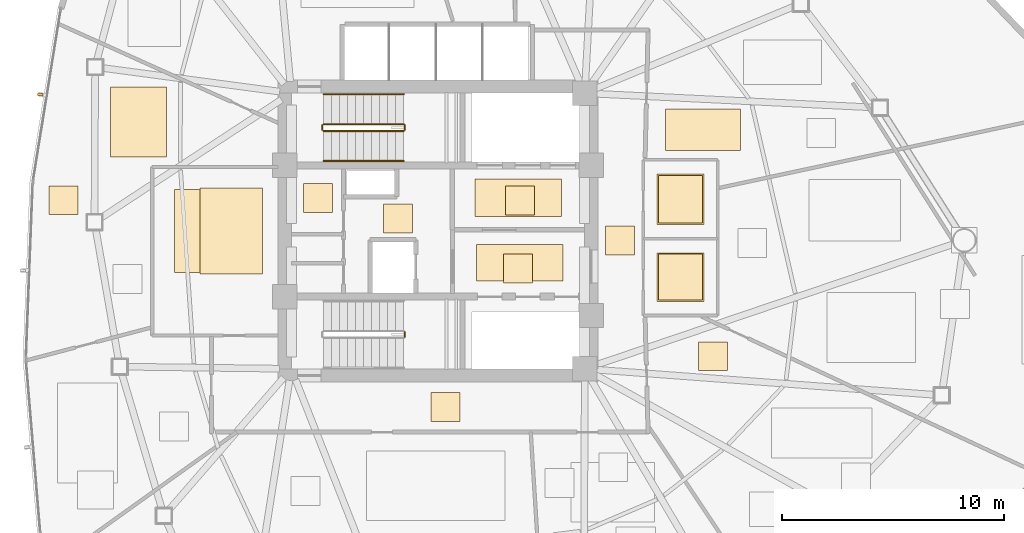
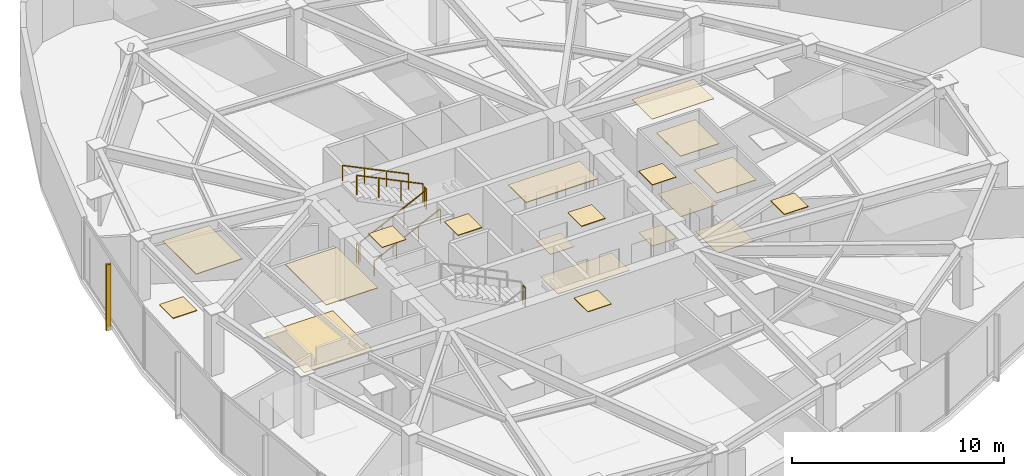
# One storey, part 15 of 17: 19 coverings, 7 railings, 1 shading device.
"""IFC4 building model written with IfcOpenShell, lengths in metres."""

from ifc_helpers import new_model, si_unit, direction, frame, origin, origin_2d, place, context, subcontext, project, spatial, polyline, rectangle, outline, extrude, source, transform, mapped, material, layer, layer_set, type_object, type_shapes, element, save


model = new_model("IFC4")

# Units and contexts
model_context = context("Model", 3, precision=1e-05, world=origin(), true_north=direction((0.0, 1.0)))
body_context = subcontext(model_context, "Body", "Model", "MODEL_VIEW")
ifc_project = project(units=[si_unit("LENGTHUNIT", "METRE"), si_unit("AREAUNIT", "SQUARE_METRE"), si_unit("VOLUMEUNIT", "CUBIC_METRE"), si_unit("PLANEANGLEUNIT", "RADIAN"), si_unit("MASSUNIT", "GRAM", prefix="KILO")], contexts=[model_context])

# Site, building, storey
site_placement = place(None, origin())
site = spatial("IfcSite", under=ifc_project, at=site_placement, CompositionType="ELEMENT")
building_placement = place(site_placement, origin())
building = spatial("IfcBuilding", under=site, at=building_placement, Name="Tavelor Broadcast Tower", CompositionType="ELEMENT")
storey_placement = place(building_placement, frame((0.0, 0.0, 134.85009765625)))
storey = spatial("IfcBuildingStorey", under=building, at=storey_placement, Name="L31", CompositionType="ELEMENT", Elevation=134.85009765625)

# Coverings
ifc_material_1 = material(Name="Copper-Bronze Anodized Aluminium", Category="aluminium")
ifc_layer_1 = layer(ifc_material_1, 0.044921875)
ifc_layer_set_1 = layer_set([ifc_layer_1], Name="Copper-Bronze Anodized Aluminium")
covering_type_1 = type_object("IfcCoveringType", Name="Anodised Bronze Linear Slatted Concourse Ceiling 45 mm", PredefinedType="CEILING", material=ifc_layer_set_1)
covering_1_placement = place(storey_placement, frame((0.0, 0.0, 3.5048828125)))
element("IfcCovering", 1, at=covering_1_placement, inside=storey, type_object=covering_type_1, Name="L31 Suspended Acoustic Ceiling 1236", PredefinedType="CEILING", context=body_context, shape_type="SweptSolid", body=[
    extrude(outline(polyline([(51.659912109375, 45.654296875), (55.55712890625, 45.654296875), (55.55712890625, 47.331787109375), (51.659912109375, 47.331787109375), (51.659912109375, 45.654296875)])), origin(), (0.0, 0.0, 1.0), 0.044921875),
])
covering_2_placement = place(storey_placement, frame((0.0, 0.0, 3.5048828125)))
element("IfcCovering", 2, at=covering_2_placement, inside=storey, type_object=covering_type_1, Name="L31 Suspended Acoustic Ceiling 1237", PredefinedType="CEILING", context=body_context, shape_type="SweptSolid", body=[
    extrude(outline(polyline([(52.95361328125, 42.656982421875), (54.25341796875, 42.656982421875), (54.25341796875, 43.95703125), (52.95361328125, 43.95703125), (52.95361328125, 42.656982421875)])), origin(), (0.0, 0.0, 1.0), 0.044921875),
])
covering_3_placement = place(storey_placement, frame((0.0, 0.0, 3.5048828125)))
element("IfcCovering", 3, at=covering_3_placement, inside=storey, type_object=covering_type_1, Name="L31 Suspended Acoustic Ceiling 1238", PredefinedType="CEILING", context=body_context, shape_type="SweptSolid", body=[
    extrude(outline(polyline([(47.544921875, 44.919921875), (48.844970703125, 44.919921875), (48.844970703125, 46.219970703125), (47.544921875, 46.219970703125), (47.544921875, 44.919921875)])), origin(), (0.0, 0.0, 1.0), 0.044921875),
])

# Railings
ifc_material_2 = material(Name="Steel S355", Category="steel")
railing_type_1 = type_object("IfcRailingType", Name="Continuous Brushed Stainless Handrail 900 mm", PredefinedType="HANDRAIL", material=ifc_material_2)
railing_1_placement = place(storey_placement, frame((44.85009765625, 48.14990234375, 0.1748046875)))
element("IfcRailing", 4, at=railing_1_placement, inside=storey, type_object=railing_type_1, Name="L31 ST1 stair handrail 1", PredefinedType="HANDRAIL", context=body_context, shape_type="SweptSolid", body=[
    extrude(rectangle(XDim=0.048095703125, YDim=0.048095703125, at=origin_2d()), frame((0.0, 0.0, 0.8759765625), z_axis=(0.899360859046, 0.0, 0.437207096483), x_axis=(0.0, 1.0, 0.0)), (0.0, 0.0, 1.0), 4.002685546875),
    extrude(rectangle(XDim=0.0419921875, YDim=0.0419921875, at=origin_2d()), origin(), (0.0, 0.0, 1.0), 0.851806640625),
    extrude(rectangle(XDim=0.0419921875, YDim=0.0419921875, at=origin_2d()), frame((1.199951171875, 0.0, 0.583251953125)), (0.0, 0.0, 1.0), 0.851806640625),
    extrude(rectangle(XDim=0.0419921875, YDim=0.0419921875, at=origin_2d()), frame((2.39990234375, 0.0, 1.166748046875)), (0.0, 0.0, 1.0), 0.851806640625),
    extrude(rectangle(XDim=0.0419921875, YDim=0.0419921875, at=origin_2d()), frame((3.599853515625, 0.0, 1.75)), (0.0, 0.0, 1.0), 0.851806640625),
])
railing_2_placement = place(storey_placement, frame((48.449951171875, 51.14990234375, 2.099853515625)))
element("IfcRailing", 5, at=railing_2_placement, inside=storey, type_object=railing_type_1, Name="L31 ST1 stair handrail 2", PredefinedType="HANDRAIL", context=body_context, shape_type="SweptSolid", body=[
    extrude(rectangle(XDim=0.048095703125, YDim=0.048095703125, at=origin_2d()), frame((0.0, 0.0, 0.8759765625), z_axis=(-0.899360859046, 0.0, 0.437207096483), x_axis=(0.0, -1.0, 0.0)), (0.0, 0.0, 1.0), 4.002685546875),
    extrude(rectangle(XDim=0.0419921875, YDim=0.0419921875, at=origin_2d()), origin(), (0.0, 0.0, 1.0), 0.851806640625),
    extrude(rectangle(XDim=0.0419921875, YDim=0.0419921875, at=origin_2d()), frame((-1.199951171875, 0.0, 0.583251953125)), (0.0, 0.0, 1.0), 0.851806640625),
    extrude(rectangle(XDim=0.0419921875, YDim=0.0419921875, at=origin_2d()), frame((-2.39990234375, 0.0, 1.166748046875)), (0.0, 0.0, 1.0), 0.851806640625),
    extrude(rectangle(XDim=0.0419921875, YDim=0.0419921875, at=origin_2d()), frame((-3.599853515625, 0.0, 1.75)), (0.0, 0.0, 1.0), 0.851806640625),
])

# Coverings
ifc_material_3 = material(Name="Architectural Anodized Aluminium", Category="aluminium")
ifc_layer_2 = layer(ifc_material_3, 0.034912109375)
ifc_layer_set_2 = layer_set([ifc_layer_2], Name="Architectural Anodized Aluminium")
covering_type_2 = type_object("IfcCoveringType", Name="Demountable Metal Tile Corridor Ceiling 35 mm", PredefinedType="CEILING", material=ifc_layer_set_2)
covering_4_placement = place(storey_placement, frame((0.0, 0.0, 3.514892578125)))
element("IfcCovering", 6, at=covering_4_placement, inside=storey, type_object=covering_type_2, Name="L31 Suspended Acoustic Ceiling 1240", PredefinedType="CEILING", context=body_context, shape_type="SweptSolid", body=[
    extrude(outline(polyline([(57.5400390625, 43.925048828125), (58.840087890625, 43.925048828125), (58.840087890625, 45.22509765625), (57.5400390625, 45.22509765625), (57.5400390625, 43.925048828125)])), origin(), (0.0, 0.0, 1.0), 0.034912109375),
])
covering_5_placement = place(storey_placement, frame((0.0, 0.0, 3.514892578125)))
element("IfcCovering", 7, at=covering_5_placement, inside=storey, type_object=covering_type_2, Name="L31 Suspended Acoustic Ceiling 1241", PredefinedType="CEILING", context=body_context, shape_type="SweptSolid", body=[
    extrude(outline(polyline([(49.694091796875, 36.425048828125), (50.994140625, 36.425048828125), (50.994140625, 37.72509765625), (49.694091796875, 37.72509765625), (49.694091796875, 36.425048828125)])), origin(), (0.0, 0.0, 1.0), 0.034912109375),
])
ifc_material_4 = material(Name="Acoustic Nylon Carpet Tile")
ifc_layer_3 = layer(ifc_material_4, 0.02001953125)
ifc_layer_set_3 = layer_set([ifc_layer_3], Name="Acoustic Nylon Carpet Tile")
covering_type_3 = type_object("IfcCoveringType", Name="Heavy-Duty Acoustic Broadcast Carpet Tile 20 mm", PredefinedType="FLOORING", material=ifc_layer_set_3)
covering_6_placement = place(storey_placement, origin())
element("IfcCovering", 8, at=covering_6_placement, inside=storey, type_object=covering_type_3, Name="L31 Broadcast Floor Finish 0435", PredefinedType="FLOORING", context=body_context, shape_type="SweptSolid", body=[
    extrude(outline(polyline([(57.5400390625, 43.925048828125), (58.840087890625, 43.925048828125), (58.840087890625, 45.22509765625), (57.5400390625, 45.22509765625), (57.5400390625, 43.925048828125)])), origin(), (0.0, 0.0, 1.0), 0.02001953125),
])
covering_7_placement = place(storey_placement, origin())
element("IfcCovering", 9, at=covering_7_placement, inside=storey, type_object=covering_type_3, Name="L31 Broadcast Floor Finish 0436", PredefinedType="FLOORING", context=body_context, shape_type="SweptSolid", body=[
    extrude(outline(polyline([(38.143798828125, 43.12890625), (41.856201171875, 43.12890625), (41.856201171875, 46.87060546875), (38.143798828125, 46.87060546875), (38.143798828125, 43.12890625)])), origin(), (0.0, 0.0, 1.0), 0.02001953125),
])
ifc_material_5 = material(Name="Honed Natural Limestone Tile", Category="masonry")
ifc_layer_4 = layer(ifc_material_5, 0.030029296875)
ifc_layer_set_4 = layer_set([ifc_layer_4], Name="Honed Natural Limestone Tile")
covering_type_4 = type_object("IfcCoveringType", Name="Honed Jerusalem Limestone Concourse Flooring 30 mm", PredefinedType="FLOORING", material=ifc_layer_set_4)
covering_8_placement = place(storey_placement, origin())
element("IfcCovering", 10, at=covering_8_placement, inside=storey, type_object=covering_type_4, Name="L31 Broadcast Floor Finish 0433", PredefinedType="FLOORING", context=body_context, shape_type="SweptSolid", body=[
    extrude(outline(polyline([(53.030029296875, 45.728515625), (54.330078125, 45.728515625), (54.330078125, 47.028564453125), (53.030029296875, 47.028564453125), (53.030029296875, 45.728515625)])), origin(), (0.0, 0.0, 1.0), 0.02978515625),
])
covering_9_placement = place(storey_placement, origin())
element("IfcCovering", 11, at=covering_9_placement, inside=storey, type_object=covering_type_4, Name="L31 Broadcast Floor Finish 0434", PredefinedType="FLOORING", context=body_context, shape_type="SweptSolid", body=[
    extrude(outline(polyline([(51.728759765625, 42.743408203125), (55.62109375, 42.743408203125), (55.62109375, 44.396484375), (51.728759765625, 44.396484375), (51.728759765625, 42.743408203125)])), origin(), (0.0, 0.0, 1.0), 0.02978515625),
])
ifc_layer_5 = layer(ifc_material_3, 0.030029296875)
ifc_layer_set_5 = layer_set([ifc_layer_5], Name="Architectural Anodized Aluminium")
covering_type_5 = type_object("IfcCoveringType", Name="Moisture-Resistant Washroom Ceiling 30 mm", PredefinedType="CEILING", material=ifc_layer_set_5)
covering_10_placement = place(storey_placement, frame((0.0, 0.0, 3.52001953125)))
element("IfcCovering", 12, at=covering_10_placement, inside=storey, type_object=covering_type_5, Name="L31 Suspended Acoustic Ceiling 1239", PredefinedType="CEILING", context=body_context, shape_type="SweptSolid", body=[
    extrude(outline(polyline([(43.951416015625, 45.843017578125), (45.25146484375, 45.843017578125), (45.25146484375, 47.14306640625), (43.951416015625, 47.14306640625), (43.951416015625, 45.843017578125)])), origin(), (0.0, 0.0, 1.0), 0.02978515625),
])
covering_11_placement = place(storey_placement, frame((0.0, 0.0, 3.52001953125)))
element("IfcCovering", 13, at=covering_11_placement, inside=storey, type_object=covering_type_5, Name="L31 Suspended Acoustic Ceiling 1243", PredefinedType="CEILING", context=body_context, shape_type="SweptSolid", body=[
    extrude(outline(polyline([(59.85302734375, 41.828369140625), (61.967041015625, 41.828369140625), (61.967041015625, 44.021484375), (59.85302734375, 44.021484375), (59.85302734375, 41.828369140625)])), origin(), (0.0, 0.0, 1.0), 0.02978515625),
])
covering_12_placement = place(storey_placement, frame((0.0, 0.0, 3.52001953125)))
element("IfcCovering", 14, at=covering_12_placement, inside=storey, type_object=covering_type_5, Name="L31 Suspended Acoustic Ceiling 1244", PredefinedType="CEILING", context=body_context, shape_type="SweptSolid", body=[
    extrude(outline(polyline([(59.85302734375, 45.29248046875), (61.967041015625, 45.29248046875), (61.967041015625, 47.5576171875), (59.85302734375, 47.5576171875), (59.85302734375, 45.29248046875)])), origin(), (0.0, 0.0, 1.0), 0.02978515625),
])
ifc_material_6 = material(Name="Slip-Resistant Porcelain Tile")
ifc_layer_6 = layer(ifc_material_6, 0.02490234375)
ifc_layer_set_6 = layer_set([ifc_layer_6], Name="Slip-Resistant Porcelain Tile")
covering_type_6 = type_object("IfcCoveringType", Name="Slip-Resistant Porcelain Wet-Area Floor Tile 25 mm", PredefinedType="FLOORING", material=ifc_layer_set_6)
covering_13_placement = place(storey_placement, origin())
element("IfcCovering", 15, at=covering_13_placement, inside=storey, type_object=covering_type_6, Name="L31 Broadcast Floor Finish 0437", PredefinedType="FLOORING", context=body_context, shape_type="SweptSolid", body=[
    extrude(outline(polyline([(59.91064453125, 41.885986328125), (61.909423828125, 41.885986328125), (61.909423828125, 43.964111328125), (59.91064453125, 43.964111328125), (59.91064453125, 41.885986328125)])), origin(), (0.0, 0.0, 1.0), 0.02490234375),
])
covering_14_placement = place(storey_placement, origin())
element("IfcCovering", 16, at=covering_14_placement, inside=storey, type_object=covering_type_6, Name="L31 Broadcast Floor Finish 0438", PredefinedType="FLOORING", context=body_context, shape_type="SweptSolid", body=[
    extrude(outline(polyline([(59.91064453125, 45.35009765625), (61.909423828125, 45.35009765625), (61.909423828125, 47.5), (59.91064453125, 47.5), (59.91064453125, 45.35009765625)])), origin(), (0.0, 0.0, 1.0), 0.02490234375),
])

# Railings
railing_type_2 = type_object("IfcRailingType", Name="Stairwell Steel Safety Guardrail 1150 mm", PredefinedType="GUARDRAIL", material=ifc_material_2)
railing_3_placement = place(storey_placement, frame((44.85009765625, 49.5, 0.1748046875)))
element("IfcRailing", 17, at=railing_3_placement, inside=storey, type_object=railing_type_2, Name="L31 ST1 stair guard 1", PredefinedType="GUARDRAIL", context=body_context, shape_type="SweptSolid", body=[
    extrude(rectangle(XDim=0.048095703125, YDim=0.048095703125, at=origin_2d()), frame((0.0, 0.0, 1.1259765625), z_axis=(0.899360859046, 0.0, 0.437207096483), x_axis=(0.0, 1.0, 0.0)), (0.0, 0.0, 1.0), 4.002685546875),
    extrude(rectangle(XDim=0.0419921875, YDim=0.0419921875, at=origin_2d()), origin(), (0.0, 0.0, 1.0), 1.101806640625),
    extrude(rectangle(XDim=0.0419921875, YDim=0.0419921875, at=origin_2d()), frame((1.199951171875, 0.0, 0.583251953125)), (0.0, 0.0, 1.0), 1.101806640625),
    extrude(rectangle(XDim=0.0419921875, YDim=0.0419921875, at=origin_2d()), frame((2.39990234375, 0.0, 1.166748046875)), (0.0, 0.0, 1.0), 1.101806640625),
    extrude(rectangle(XDim=0.0419921875, YDim=0.0419921875, at=origin_2d()), frame((3.599853515625, 0.0, 1.75)), (0.0, 0.0, 1.0), 1.101806640625),
])
railing_4_placement = place(storey_placement, frame((48.5, 49.550048828125, 1.9248046875)))
element("IfcRailing", 18, at=railing_4_placement, inside=storey, type_object=railing_type_2, Name="L31 ST1 stair guard 2", PredefinedType="GUARDRAIL", context=body_context, shape_type="SweptSolid", body=[
    extrude(rectangle(XDim=0.048095703125, YDim=0.048095703125, at=origin_2d()), frame((0.0, 0.0, 1.1259765625), z_axis=(0.0, 1.0, 0.0), x_axis=(-1.0, 0.0, 0.0)), (0.0, 0.0, 1.0), 0.199951171875),
    extrude(rectangle(XDim=0.0419921875, YDim=0.0419921875, at=origin_2d()), origin(), (0.0, 0.0, 1.0), 1.101806640625),
    extrude(rectangle(XDim=0.0419921875, YDim=0.0419921875, at=origin_2d()), frame((0.0, 0.199951171875, 0.0)), (0.0, 0.0, 1.0), 1.101806640625),
])
railing_5_placement = place(storey_placement, frame((48.449951171875, 49.800048828125, 2.099853515625)))
element("IfcRailing", 19, at=railing_5_placement, inside=storey, type_object=railing_type_2, Name="L31 ST1 stair guard 3", PredefinedType="GUARDRAIL", context=body_context, shape_type="SweptSolid", body=[
    extrude(rectangle(XDim=0.048095703125, YDim=0.048095703125, at=origin_2d()), frame((0.0, 0.0, 1.1259765625), z_axis=(-0.899360859046, 0.0, 0.437207096483), x_axis=(0.0, -1.0, 0.0)), (0.0, 0.0, 1.0), 4.002685546875),
    extrude(rectangle(XDim=0.0419921875, YDim=0.0419921875, at=origin_2d()), origin(), (0.0, 0.0, 1.0), 1.101806640625),
    extrude(rectangle(XDim=0.0419921875, YDim=0.0419921875, at=origin_2d()), frame((-1.199951171875, 0.0, 0.583251953125)), (0.0, 0.0, 1.0), 1.101806640625),
    extrude(rectangle(XDim=0.0419921875, YDim=0.0419921875, at=origin_2d()), frame((-2.39990234375, 0.0, 1.166748046875)), (0.0, 0.0, 1.0), 1.101806640625),
    extrude(rectangle(XDim=0.0419921875, YDim=0.0419921875, at=origin_2d()), frame((-3.599853515625, 0.0, 1.75)), (0.0, 0.0, 1.0), 1.101806640625),
])
for number, where, name in (
    (20, (44.800048828125, 49.550048828125, 0.0), "L31 ST1 stair guard 4"),
    (21, (48.5, 40.25, 1.9248046875), "L31 ST2 stair guard 2"),
):
    element("IfcRailing", number, at=place(storey_placement, frame(where)), inside=storey, type_object=railing_type_2, Name=name, PredefinedType="GUARDRAIL", context=body_context, shape_type="SweptSolid", body=[
        extrude(rectangle(XDim=0.048095703125, YDim=0.048095703125, at=origin_2d()), frame((0.0, 0.0, 1.1259765625), z_axis=(0.0, 1.0, 0.0), x_axis=(-1.0, 0.0, 0.0)), (0.0, 0.0, 1.0), 0.199951171875),
        extrude(rectangle(XDim=0.0419921875, YDim=0.0419921875, at=origin_2d()), origin(), (0.0, 0.0, 1.0), 1.101806640625),
        extrude(rectangle(XDim=0.0419921875, YDim=0.0419921875, at=origin_2d()), frame((0.0, 0.199951171875, 0.0)), (0.0, 0.0, 1.0), 1.101806640625),
    ])

# Coverings
ifc_material_7 = material(Name="Acoustic Mineral Fibre Tile")
ifc_layer_7 = layer(ifc_material_7, 0.0400390625)
ifc_layer_set_7 = layer_set([ifc_layer_7], Name="Acoustic Mineral Fibre Tile")
covering_type_7 = type_object("IfcCoveringType", Name="Suspended Acoustic Mineral-Fibre Office Ceiling 40 mm", PredefinedType="CEILING", material=ifc_layer_set_7)
covering_15_placement = place(storey_placement, frame((0.0, 0.0, 3.510009765625)))
element("IfcCovering", 22, at=covering_15_placement, inside=storey, type_object=covering_type_7, Name="L31 Suspended Acoustic Ceiling 1242", PredefinedType="CEILING", context=body_context, shape_type="SweptSolid", body=[
    extrude(outline(polyline([(39.2998046875, 43.0712890625), (42.111328125, 43.0712890625), (42.111328125, 46.927978515625), (39.2998046875, 46.927978515625), (39.2998046875, 43.0712890625)])), origin(), (0.0, 0.0, 1.0), 0.039794921875),
])
covering_16_placement = place(storey_placement, frame((0.0, 0.0, 3.510009765625)))
element("IfcCovering", 23, at=covering_16_placement, inside=storey, type_object=covering_type_7, Name="L31 Suspended Acoustic Ceiling 1245", PredefinedType="CEILING", context=body_context, shape_type="SweptSolid", body=[
    extrude(outline(polyline([(61.71826171875, 38.717529296875), (63.018310546875, 38.717529296875), (63.018310546875, 40.017578125), (61.71826171875, 40.017578125), (61.71826171875, 38.717529296875)])), origin(), (0.0, 0.0, 1.0), 0.039794921875),
])
covering_17_placement = place(storey_placement, frame((0.0, 0.0, 3.510009765625)))
element("IfcCovering", 24, at=covering_17_placement, inside=storey, type_object=covering_type_7, Name="L31 Suspended Acoustic Ceiling 1258", PredefinedType="CEILING", context=body_context, shape_type="SweptSolid", body=[
    extrude(outline(polyline([(32.509521484375, 45.73291015625), (33.809326171875, 45.73291015625), (33.809326171875, 47.032958984375), (32.509521484375, 47.032958984375), (32.509521484375, 45.73291015625)])), origin(), (0.0, 0.0, 1.0), 0.039794921875),
])
covering_18_placement = place(storey_placement, frame((0.0, 0.0, 3.510009765625)))
element("IfcCovering", 25, at=covering_18_placement, inside=storey, type_object=covering_type_7, Name="L31 Suspended Acoustic Ceiling 1259", PredefinedType="CEILING", context=body_context, shape_type="SweptSolid", body=[
    extrude(outline(polyline([(35.260498046875, 48.33056640625), (37.779052734375, 48.33056640625), (37.779052734375, 51.481201171875), (35.260498046875, 51.481201171875), (35.260498046875, 48.33056640625)])), origin(), (0.0, 0.0, 1.0), 0.039794921875),
])
covering_19_placement = place(storey_placement, frame((0.0, 0.0, 3.510009765625)))
element("IfcCovering", 26, at=covering_19_placement, inside=storey, type_object=covering_type_7, Name="L31 Suspended Acoustic Ceiling 1275", PredefinedType="CEILING", context=body_context, shape_type="SweptSolid", body=[
    extrude(outline(polyline([(60.2236328125, 48.614990234375), (63.599365234375, 48.614990234375), (63.599365234375, 50.478271484375), (60.2236328125, 50.478271484375), (60.2236328125, 48.614990234375)])), origin(), (0.0, 0.0, 1.0), 0.039794921875),
])

# Shading device
ifc_material_8 = material(Name="Kiln-Fired Glazed Terracotta", Category="masonry")
shading_device_type = type_object("IfcShadingDeviceType", Name="Extruded Terracotta Baguette Sun-Screen 110x240", PredefinedType="JALOUSIE", material=ifc_material_8)
shared_shape = source(origin(), body_context, "Body", "SweptSolid", [
    extrude(rectangle(XDim=0.110107421875, YDim=0.239990234375, at=origin_2d()), origin(), (0.0, 0.0, 1.0), 3.7900390625),
])
type_shapes(shading_device_type, [shared_shape])
shading_device_placement = place(storey_placement, frame((32.10791015625, 51.143798828125, -0.260009765625), z_axis=(0.0, 0.0, 1.0), x_axis=(-0.159536602398, -0.987192013995, 0.0)))
element("IfcShadingDevice", 27, at=shading_device_placement, inside=storey, type_object=shading_device_type, Name="L31 Terracotta Baguette Fin 301", PredefinedType="JALOUSIE", context=body_context, shape_type="MappedRepresentation", body=[
    mapped(shared_shape, transform((0.0, 0.0, 0.0), scale=1.0)),
])

save(model, "model.ifc")
